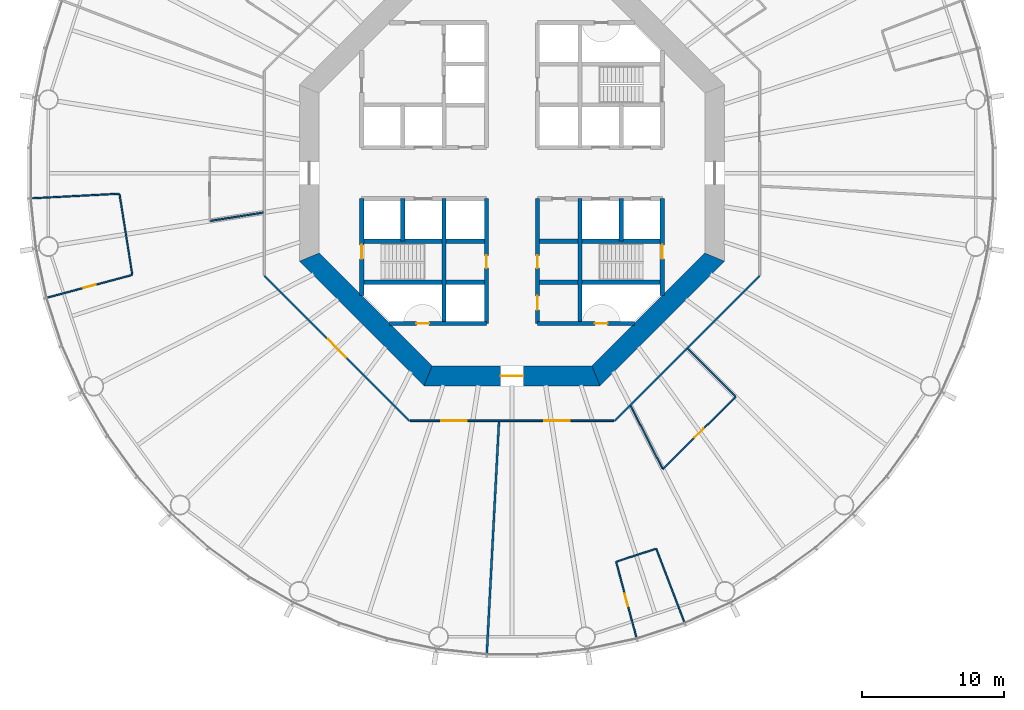
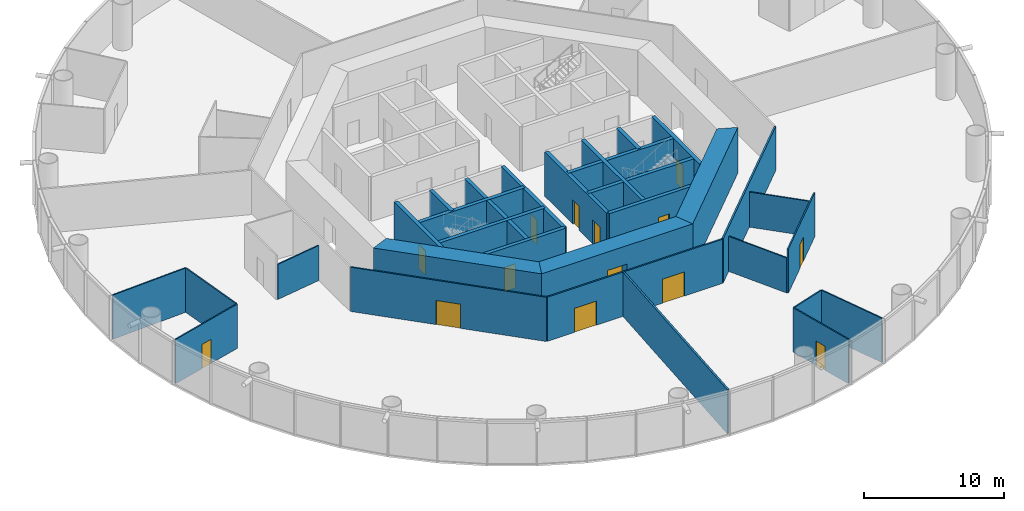
# One storey, part 3 of 12: 31 walls, 14 doors, 14 openings.
"""IFC4 building model written with IfcOpenShell, lengths in metres."""

import ifcopenshell
import ifcopenshell.guid

model = None  # the IFC model being written
_history = None  # IfcOwnerHistory: only IFC2X3 demands one
_inside = {}  # id of a spatial element -> (the spatial element, [elements in it])
_under = {}  # id of a project, library or spatial element -> (it, [spatial elements below it])
_declared = {}  # id of a project -> (the project, [libraries it declares])
_typed = {}  # id of a type object -> (the type object, [elements of that type])
_made_of = {}  # id of a material, layer set ... -> (it, [elements and type objects made of it])


def new_model(schema):
    """Start an empty IFC model of exactly this schema.

    Asked for "IFC4X3", IfcOpenShell would pick the latest addendum, in which some entities
    have other attributes; the version numbers below select the first issue.
    IFC2X3 requires an IfcOwnerHistory on every rooted entity: one is made here for all.
    """
    global model, _history
    if schema == "IFC4X3":
        model = ifcopenshell.file(schema_version=(4, 3, 0, 0))
    else:
        model = ifcopenshell.file(schema=schema)
    _inside.clear()
    _under.clear()
    _declared.clear()
    _typed.clear()
    _made_of.clear()
    _history = None
    if model.schema == "IFC2X3":
        org = make("IfcOrganization", Name="unknown")
        user = make(
            "IfcPersonAndOrganization",
            ThePerson=make("IfcPerson", FamilyName="unknown"),
            TheOrganization=org,
        )
        app = make(
            "IfcApplication",
            ApplicationDeveloper=org,
            Version="unknown",
            ApplicationFullName="unknown",
            ApplicationIdentifier="unknown",
        )
        _history = make(
            "IfcOwnerHistory",
            OwningUser=user,
            OwningApplication=app,
            ChangeAction="ADDED",
            CreationDate=0,
        )
    return model


def make(cls, **values):
    """One entity of the class cls with the attributes given. An attribute that is None is left unset."""
    return model.create_entity(
        cls, **{name: value for name, value in values.items() if value is not None}
    )


def rooted(cls, **values):
    """An entity with a GlobalId (a new one), such as an element, a storey or a relation."""
    return make(cls, GlobalId=ifcopenshell.guid.new(), OwnerHistory=_history, **values)


def si_unit(unit_type, name, prefix=None):
    """IfcSIUnit, for example si_unit("LENGTHUNIT", "METRE", prefix="MILLI")."""
    return make("IfcSIUnit", UnitType=unit_type, Prefix=prefix, Name=name)


def assignment(units):
    """IfcUnitAssignment: the units of a project."""
    return None if units is None else make("IfcUnitAssignment", Units=units)


def point(xyz):
    """IfcCartesianPoint."""
    return None if xyz is None else make("IfcCartesianPoint", Coordinates=xyz)


def direction(xyz):
    """IfcDirection."""
    return None if xyz is None else make("IfcDirection", DirectionRatios=xyz)


def frame(location, z_axis=None, x_axis=None):
    """IfcAxis2Placement3D, a coordinate frame: its origin and axes. An axis left out is left unset."""
    return make(
        "IfcAxis2Placement3D",
        Location=point(location),
        Axis=direction(z_axis),
        RefDirection=direction(x_axis),
    )


def frame_2d(location, x_axis=None):
    """IfcAxis2Placement2D, a coordinate frame in the plane: its origin and x axis."""
    return make(
        "IfcAxis2Placement2D", Location=point(location), RefDirection=direction(x_axis)
    )


def origin():
    """The frame at (0, 0, 0) with its axes left unset."""
    return frame((0.0, 0.0, 0.0))


def place(relative_to, where):
    """IfcLocalPlacement: puts the frame where relative to a parent placement (None: the world)."""
    return make(
        "IfcLocalPlacement", PlacementRelTo=relative_to, RelativePlacement=where
    )


def context(
    kind, dimensions, precision=None, world=None, true_north=None, identifier=None
):
    """IfcGeometricRepresentationContext, for example the 3D "Model" context."""
    return make(
        "IfcGeometricRepresentationContext",
        ContextIdentifier=identifier,
        ContextType=kind,
        CoordinateSpaceDimension=dimensions,
        Precision=precision,
        WorldCoordinateSystem=world,
        TrueNorth=true_north,
    )


def subcontext(parent, identifier, kind, view, scale=None):
    """IfcGeometricRepresentationSubContext, for example "Body" below "Model"."""
    return make(
        "IfcGeometricRepresentationSubContext",
        ContextIdentifier=identifier,
        ContextType=kind,
        ParentContext=parent,
        TargetScale=scale,
        TargetView=view,
    )


def project(units=None, contexts=None):
    """IfcProject with its units and contexts."""
    return rooted(
        "IfcProject",
        Name="project",
        RepresentationContexts=contexts,
        UnitsInContext=assignment(units),
    )


def spatial(cls, under=None, at=None, **own):
    """A site, building, storey or space (cls), placed at a placement, below another one or the project."""
    s = rooted(cls, ObjectPlacement=at, **own)
    if under is not None:
        _under.setdefault(under.id(), (under, []))[1].append(s)
    return s


def polyline(points):
    """IfcPolyline through the points."""
    return make("IfcPolyline", Points=[point(p) for p in points])


def profile(cls, at=None, kind="AREA", **sizes):
    """A parametric profile (cls). Its sizes go by their IFC names, for example OverallWidth=200.0."""
    return make(cls, ProfileType=kind, Position=at, **sizes)


def rectangle(**sizes):
    """IfcRectangleProfileDef."""
    return profile("IfcRectangleProfileDef", **sizes)


def outline(outer, holes=None, kind="AREA"):
    """IfcArbitraryClosedProfileDef: a profile drawn as a closed curve; with holes, ...WithVoids."""
    if holes is None:
        return make("IfcArbitraryClosedProfileDef", ProfileType=kind, OuterCurve=outer)
    return make(
        "IfcArbitraryProfileDefWithVoids",
        ProfileType=kind,
        OuterCurve=outer,
        InnerCurves=holes,
    )


def extrude(swept, where, along, depth):
    """IfcExtrudedAreaSolid: the profile swept, set in the frame where, extruded along a direction by depth."""
    return make(
        "IfcExtrudedAreaSolid",
        SweptArea=swept,
        Position=where,
        ExtrudedDirection=direction(along),
        Depth=depth,
    )


def shape(context_of_items, identifier, shape_type, items):
    """IfcShapeRepresentation: the items that make up one representation, for example the "Body"."""
    return make(
        "IfcShapeRepresentation",
        ContextOfItems=context_of_items,
        RepresentationIdentifier=identifier,
        RepresentationType=shape_type,
        Items=items,
    )


def material(Name=None, Category=None):
    """IfcMaterial."""
    return make("IfcMaterial", Name=Name, Category=Category)


def layer(
    of_material, thickness, ventilated=None, Name=None, Category=None, Priority=None
):
    """IfcMaterialLayer: one layer of a wall or slab, of a material (None: an air gap)."""
    return make(
        "IfcMaterialLayer",
        Material=of_material,
        LayerThickness=thickness,
        IsVentilated=ventilated,
        Name=Name,
        Category=Category,
        Priority=Priority,
    )


def layer_set(layers, Name=None):
    """IfcMaterialLayerSet."""
    return make("IfcMaterialLayerSet", MaterialLayers=layers, LayerSetName=Name)


def made_of(thing, what):
    """Note that an element or type object is made of a material, layer set ...; save() writes the relation."""
    if what is not None:
        _made_of.setdefault(what.id(), (what, []))[1].append(thing)
    return thing


def type_object(cls, material=None, **own):
    """A type object (cls), such as IfcWallType, which elements share."""
    return made_of(rooted(cls, **own), material)


def element(
    cls,
    number,
    at=None,
    inside=None,
    cuts=None,
    type_object=None,
    material=None,
    context=None,
    identifier="Body",
    shape_type=None,
    held_by="IfcProductDefinitionShape",
    body=None,
    shapes=None,
    **own,
):
    """One element of the class cls, such as IfcWall. Its Tag is "e" and its number.

    at: its placement. inside: the storey or other place that contains it. cuts: it is an
    opening in that element (IfcRelVoidsElement). A single representation is given by context,
    identifier, shape_type and body (its items); several are given by shapes. held_by: the class
    of the entity that holds the representations. save() writes the other relations.
    """
    e = rooted(cls, Tag="e%d" % number, ObjectPlacement=at, **own)
    if body is not None:
        shapes = [shape(context, identifier, shape_type, body)]
    if shapes is not None:
        e.Representation = make(held_by, Representations=shapes)
    if inside is not None:
        _inside.setdefault(inside.id(), (inside, []))[1].append(e)
    if cuts is not None:
        rooted(
            "IfcRelVoidsElement", RelatingBuildingElement=cuts, RelatedOpeningElement=e
        )
    if type_object is not None:
        _typed.setdefault(type_object.id(), (type_object, []))[1].append(e)
    return made_of(e, material)


def fill(opening, filler):
    """IfcRelFillsElement: the door or window that sits in an opening."""
    return rooted(
        "IfcRelFillsElement",
        RelatingOpeningElement=opening,
        RelatedBuildingElement=filler,
    )


def aggregate(whole, parts):
    """IfcRelAggregates: a whole, such as a stair, and the parts it consists of."""
    return rooted("IfcRelAggregates", RelatingObject=whole, RelatedObjects=parts)


def save(model, path):
    """Write the relations noted so far, then the file.

    IfcRelAggregates (storeys below a building ...), IfcRelContainedInSpatialStructure (elements
    in a storey), IfcRelDefinesByType, IfcRelAssociatesMaterial and IfcRelDeclares: one each for
    every whole, place, type object, material and project.
    """
    for whole, parts in _under.values():
        aggregate(whole, parts)
    for where, things in _inside.values():
        rooted(
            "IfcRelContainedInSpatialStructure",
            RelatedElements=things,
            RelatingStructure=where,
        )
    for kind, things in _typed.values():
        rooted("IfcRelDefinesByType", RelatedObjects=things, RelatingType=kind)
    for what, things in _made_of.values():
        rooted("IfcRelAssociatesMaterial", RelatedObjects=things, RelatingMaterial=what)
    for by, libraries in _declared.values():
        rooted("IfcRelDeclares", RelatingContext=by, RelatedDefinitions=libraries)
    model.write(path)


model = new_model("IFC4")

# Units and contexts
model_context = context("Model", 3, precision=1e-05, world=origin(), true_north=direction((0.0, 1.0)))
body_context = subcontext(model_context, "Body", "Model", "MODEL_VIEW")
ifc_project = project(units=[si_unit("LENGTHUNIT", "METRE"), si_unit("AREAUNIT", "SQUARE_METRE"), si_unit("VOLUMEUNIT", "CUBIC_METRE"), si_unit("PLANEANGLEUNIT", "RADIAN"), si_unit("MASSUNIT", "GRAM", prefix="KILO")], contexts=[model_context])

# Site, building, storey
site_placement = place(None, origin())
site = spatial("IfcSite", under=ifc_project, at=site_placement, CompositionType="ELEMENT")
building_placement = place(site_placement, origin())
building = spatial("IfcBuilding", under=site, at=building_placement, Name="Entoto Ring Tower", CompositionType="ELEMENT")
storey_placement = place(building_placement, frame((0.0, 0.0, 70.0)))
storey = spatial("IfcBuildingStorey", under=building, at=storey_placement, Name="L15", CompositionType="ELEMENT", Elevation=70.0)

# Wall, opening, door
ifc_material_1 = material(Name="Concrete C40/50", Category="concrete")
ifc_layer_1 = layer(ifc_material_1, 0.300048828125)
ifc_layer_set_1 = layer_set([ifc_layer_1], Name="Concrete C40/50")
wall_type_1 = type_object("IfcWallType", Name="Core enclosure wall 300 mm reinforced concrete", PredefinedType="SOLIDWALL", material=ifc_layer_set_1)
wall_1_placement = place(storey_placement, frame((100.60009765625, 71.36669921875, 0.0), z_axis=(0.0, 0.0, 1.0), x_axis=(0.0, 1.0, 0.0)))
wall_1 = element("IfcWall", 1, at=wall_1_placement, inside=storey, type_object=wall_type_1, Name="wall-L15-001", PredefinedType="SOLIDWALL", context=body_context, shape_type="SweptSolid", body=[
    extrude(rectangle(XDim=6.833251953125, YDim=0.300048828125, at=frame_2d((3.41650390625, 0.0))), origin(), (0.0, 0.0, 1.0), 3.85009765625),
])
opening_1_placement = place(wall_1_placement, frame((2.583251953125, 0.0, 0.0)))
opening_1 = element("IfcOpeningElement", 2, at=opening_1_placement, cuts=wall_1, Name="Opening K-61", PredefinedType="OPENING", context=body_context, shape_type="SweptSolid", body=[
    extrude(rectangle(XDim=1.0, YDim=2.10009765625, at=frame_2d((0.5, 1.050048828125))), frame((0.0, 0.16015625, 0.0), z_axis=(0.0, -1.0, 0.0), x_axis=(1.0, 0.0, 0.0)), (0.0, 0.0, 1.0), 0.320068359375),
])
ifc_material_2 = material(Name="Steel door leaf, fire rated", Category="steel")
ifc_layer_2 = layer(ifc_material_2, 0.050048828125)
ifc_layer_set_2 = layer_set([ifc_layer_2], Name="Steel door leaf, fire rated")
door_type_1 = type_object("IfcDoorType", Name="Fire door FD60 1000 x 2100 single leaf", OperationType="NOTDEFINED", PredefinedType="DOOR", material=ifc_layer_set_2)
door_1_placement = place(opening_1_placement, origin())
door_1 = element("IfcDoor", 3, at=door_1_placement, inside=storey, type_object=door_type_1, Name="Door K-61", OperationType="SINGLE_SWING_RIGHT", OverallHeight=2.10009765625, OverallWidth=1.0, PredefinedType="DOOR", context=body_context, shape_type="SweptSolid", body=[
    extrude(rectangle(XDim=1.0, YDim=2.10009765625, at=frame_2d((0.5, 1.050048828125))), frame((0.0, 0.02490234375, 0.0), z_axis=(0.0, -1.0, 0.0), x_axis=(1.0, 0.0, 0.0)), (0.0, 0.0, 1.0), 0.050048828125),
])
fill(opening_1, door_1)

# Walls
wall_2_placement = place(storey_placement, frame((97.699951171875, 75.199951171875, 0.0), z_axis=(0.0, 0.0, 1.0), x_axis=(0.0, 1.0, 0.0)))
element("IfcWall", 4, at=wall_2_placement, inside=storey, type_object=wall_type_1, Name="wall-L15-003", PredefinedType="SOLIDWALL", context=body_context, shape_type="SweptSolid", body=[
    extrude(rectangle(XDim=3.0, YDim=0.300048828125, at=frame_2d((1.5, 0.0))), origin(), (0.0, 0.0, 1.0), 3.85009765625),
])
wall_3_placement = place(storey_placement, frame((94.800048828125, 69.39990234375, 0.0), z_axis=(0.0, 0.0, 1.0), x_axis=(0.0, 1.0, 0.0)))
element("IfcWall", 5, at=wall_3_placement, inside=storey, type_object=wall_type_1, Name="wall-L15-005", PredefinedType="SOLIDWALL", context=body_context, shape_type="SweptSolid", body=[
    extrude(rectangle(XDim=8.800048828125, YDim=0.300048828125, at=frame_2d((4.39990234375, 0.0))), origin(), (0.0, 0.0, 1.0), 3.85009765625),
])

# Wall, openings, doors
wall_4_placement = place(storey_placement, frame((91.800048828125, 69.39990234375, 0.0), z_axis=(0.0, 0.0, 1.0), x_axis=(0.0, 1.0, 0.0)))
wall_4 = element("IfcWall", 6, at=wall_4_placement, inside=storey, type_object=wall_type_1, Name="wall-L15-007", PredefinedType="SOLIDWALL", context=body_context, shape_type="SweptSolid", body=[
    extrude(rectangle(XDim=8.800048828125, YDim=0.300048828125, at=frame_2d((4.39990234375, 0.0))), origin(), (0.0, 0.0, 1.0), 3.85009765625),
])
opening_2_placement = place(wall_4_placement, frame((3.89990234375, 0.0, 0.0)))
opening_2 = element("IfcOpeningElement", 7, at=opening_2_placement, cuts=wall_4, Name="Opening K-12", PredefinedType="OPENING", context=body_context, shape_type="SweptSolid", body=[
    extrude(rectangle(XDim=0.89990234375, YDim=2.10009765625, at=frame_2d((0.449951171875, 1.050048828125))), frame((0.0, 0.16015625, 0.0), z_axis=(0.0, -1.0, 0.0), x_axis=(1.0, 0.0, 0.0)), (0.0, 0.0, 1.0), 0.320068359375),
])
opening_3_placement = place(wall_4_placement, frame((0.949951171875, 0.0, 0.0)))
opening_3 = element("IfcOpeningElement", 8, at=opening_3_placement, cuts=wall_4, Name="Opening K-13", PredefinedType="OPENING", context=body_context, shape_type="SweptSolid", body=[
    extrude(rectangle(XDim=1.0, YDim=2.10009765625, at=frame_2d((0.5, 1.050048828125))), frame((0.0, 0.16015625, 0.0), z_axis=(0.0, -1.0, 0.0), x_axis=(1.0, 0.0, 0.0)), (0.0, 0.0, 1.0), 0.320068359375),
])
ifc_material_3 = material(Name="Steel door leaf, fire rated", Category="steel")
ifc_layer_3 = layer(ifc_material_3, 0.050048828125)
ifc_layer_set_3 = layer_set([ifc_layer_3], Name="Steel door leaf, fire rated")
door_type_2 = type_object("IfcDoorType", Name="Accessible door 1000 x 2100 single leaf", OperationType="NOTDEFINED", PredefinedType="DOOR", material=ifc_layer_set_3)
door_2_placement = place(opening_3_placement, frame((1.0, 0.0, 0.0), z_axis=(0.0, 0.0, 1.0), x_axis=(-1.0, 0.0, 0.0)))
door_2 = element("IfcDoor", 9, at=door_2_placement, inside=storey, type_object=door_type_2, Name="Door K-13", OperationType="SINGLE_SWING_LEFT", OverallHeight=2.10009765625, OverallWidth=1.0, PredefinedType="DOOR", context=body_context, shape_type="SweptSolid", body=[
    extrude(rectangle(XDim=1.0, YDim=2.10009765625, at=frame_2d((0.5, 1.050048828125))), frame((0.0, 0.02490234375, 0.0), z_axis=(0.0, -1.0, 0.0), x_axis=(1.0, 0.0, 0.0)), (0.0, 0.0, 1.0), 0.050048828125),
])
fill(opening_3, door_2)
ifc_material_4 = material(Name="Steel door leaf, fire rated", Category="steel")
ifc_layer_4 = layer(ifc_material_4, 0.050048828125)
ifc_layer_set_4 = layer_set([ifc_layer_4], Name="Steel door leaf, fire rated")
door_type_3 = type_object("IfcDoorType", Name="Core door 900 x 2100 single leaf", OperationType="NOTDEFINED", PredefinedType="DOOR", material=ifc_layer_set_4)
door_3_placement = place(opening_2_placement, frame((0.89990234375, 0.0, 0.0), z_axis=(0.0, 0.0, 1.0), x_axis=(-1.0, 0.0, 0.0)))
door_3 = element("IfcDoor", 10, at=door_3_placement, inside=storey, type_object=door_type_3, Name="Door K-12", OperationType="SINGLE_SWING_LEFT", OverallHeight=2.10009765625, OverallWidth=0.89990234375, PredefinedType="DOOR", context=body_context, shape_type="SweptSolid", body=[
    extrude(rectangle(XDim=0.89990234375, YDim=2.10009765625, at=frame_2d((0.449951171875, 1.050048828125))), frame((0.0, 0.02490234375, 0.0), z_axis=(0.0, -1.0, 0.0), x_axis=(1.0, 0.0, 0.0)), (0.0, 0.0, 1.0), 0.050048828125),
])
fill(opening_2, door_3)

# Wall, opening, door
wall_5_placement = place(storey_placement, frame((88.199951171875, 69.39990234375, 0.0), z_axis=(0.0, 0.0, 1.0), x_axis=(0.0, 1.0, 0.0)))
wall_5 = element("IfcWall", 11, at=wall_5_placement, inside=storey, type_object=wall_type_1, Name="wall-L15-009", PredefinedType="SOLIDWALL", context=body_context, shape_type="SweptSolid", body=[
    extrude(rectangle(XDim=8.800048828125, YDim=0.300048828125, at=frame_2d((4.39990234375, 0.0))), origin(), (0.0, 0.0, 1.0), 3.85009765625),
])
opening_4_placement = place(wall_5_placement, frame((3.89990234375, 0.0, 0.0)))
opening_4 = element("IfcOpeningElement", 12, at=opening_4_placement, cuts=wall_5, Name="Opening K-14", PredefinedType="OPENING", context=body_context, shape_type="SweptSolid", body=[
    extrude(rectangle(XDim=0.89990234375, YDim=2.10009765625, at=frame_2d((0.449951171875, 1.050048828125))), frame((0.0, 0.16015625, 0.0), z_axis=(0.0, -1.0, 0.0), x_axis=(1.0, 0.0, 0.0)), (0.0, 0.0, 1.0), 0.320068359375),
])
door_4_placement = place(opening_4_placement, origin())
door_4 = element("IfcDoor", 13, at=door_4_placement, inside=storey, type_object=door_type_3, Name="Door K-14", OperationType="SINGLE_SWING_RIGHT", OverallHeight=2.10009765625, OverallWidth=0.89990234375, PredefinedType="DOOR", context=body_context, shape_type="SweptSolid", body=[
    extrude(rectangle(XDim=0.89990234375, YDim=2.10009765625, at=frame_2d((0.449951171875, 1.050048828125))), frame((0.0, 0.02490234375, 0.0), z_axis=(0.0, -1.0, 0.0), x_axis=(1.0, 0.0, 0.0)), (0.0, 0.0, 1.0), 0.050048828125),
])
fill(opening_4, door_4)

# Walls
wall_6_placement = place(storey_placement, frame((85.199951171875, 69.39990234375, 0.0), z_axis=(0.0, 0.0, 1.0), x_axis=(0.0, 1.0, 0.0)))
element("IfcWall", 14, at=wall_6_placement, inside=storey, type_object=wall_type_1, Name="wall-L15-011", PredefinedType="SOLIDWALL", context=body_context, shape_type="SweptSolid", body=[
    extrude(rectangle(XDim=8.800048828125, YDim=0.300048828125, at=frame_2d((4.39990234375, 0.0))), origin(), (0.0, 0.0, 1.0), 3.85009765625),
])
wall_7_placement = place(storey_placement, frame((82.300048828125, 75.199951171875, 0.0), z_axis=(0.0, 0.0, 1.0), x_axis=(0.0, 1.0, 0.0)))
element("IfcWall", 15, at=wall_7_placement, inside=storey, type_object=wall_type_1, Name="wall-L15-013", PredefinedType="SOLIDWALL", context=body_context, shape_type="SweptSolid", body=[
    extrude(rectangle(XDim=3.0, YDim=0.300048828125, at=frame_2d((1.5, 0.0))), origin(), (0.0, 0.0, 1.0), 3.85009765625),
])

# Wall, opening, door
wall_8_placement = place(storey_placement, frame((79.39990234375, 71.36669921875, 0.0), z_axis=(0.0, 0.0, 1.0), x_axis=(0.0, 1.0, 0.0)))
wall_8 = element("IfcWall", 16, at=wall_8_placement, inside=storey, type_object=wall_type_1, Name="wall-L15-015", PredefinedType="SOLIDWALL", context=body_context, shape_type="SweptSolid", body=[
    extrude(rectangle(XDim=6.833251953125, YDim=0.300048828125, at=frame_2d((3.41650390625, 0.0))), origin(), (0.0, 0.0, 1.0), 3.85009765625),
])
opening_5_placement = place(wall_8_placement, frame((2.583251953125, 0.0, 0.0)))
opening_5 = element("IfcOpeningElement", 17, at=opening_5_placement, cuts=wall_8, Name="Opening K-59", PredefinedType="OPENING", context=body_context, shape_type="SweptSolid", body=[
    extrude(rectangle(XDim=1.0, YDim=2.10009765625, at=frame_2d((0.5, 1.050048828125))), frame((0.0, 0.16015625, 0.0), z_axis=(0.0, -1.0, 0.0), x_axis=(1.0, 0.0, 0.0)), (0.0, 0.0, 1.0), 0.320068359375),
])
door_5_placement = place(opening_5_placement, frame((1.0, 0.0, 0.0), z_axis=(0.0, 0.0, 1.0), x_axis=(-1.0, 0.0, 0.0)))
door_5 = element("IfcDoor", 18, at=door_5_placement, inside=storey, type_object=door_type_1, Name="Door K-59", OperationType="SINGLE_SWING_LEFT", OverallHeight=2.10009765625, OverallWidth=1.0, PredefinedType="DOOR", context=body_context, shape_type="SweptSolid", body=[
    extrude(rectangle(XDim=1.0, YDim=2.10009765625, at=frame_2d((0.5, 1.050048828125))), frame((0.0, 0.02490234375, 0.0), z_axis=(0.0, -1.0, 0.0), x_axis=(1.0, 0.0, 0.0)), (0.0, 0.0, 1.0), 0.050048828125),
])
fill(opening_5, door_5)

wall_9_placement = place(storey_placement, frame((81.36669921875, 69.39990234375, 0.0), z_axis=(0.0, 0.0, 1.0), x_axis=(1.0, 0.0, 0.0)))
wall_9 = element("IfcWall", 19, at=wall_9_placement, inside=storey, type_object=wall_type_1, Name="wall-L15-017", PredefinedType="SOLIDWALL", context=body_context, shape_type="SweptSolid", body=[
    extrude(rectangle(XDim=6.833251953125, YDim=0.300048828125, at=frame_2d((3.41650390625, 0.0))), origin(), (0.0, 0.0, 1.0), 3.85009765625),
])
opening_6_placement = place(wall_9_placement, frame((1.88330078125, 0.0, 0.0)))
opening_6 = element("IfcOpeningElement", 20, at=opening_6_placement, cuts=wall_9, Name="Opening K-66", PredefinedType="OPENING", context=body_context, shape_type="SweptSolid", body=[
    extrude(rectangle(XDim=0.89990234375, YDim=2.10009765625, at=frame_2d((0.449951171875, 1.050048828125))), frame((0.0, 0.16015625, 0.0), z_axis=(0.0, -1.0, 0.0), x_axis=(1.0, 0.0, 0.0)), (0.0, 0.0, 1.0), 0.320068359375),
])
ifc_material_5 = material(Name="Steel door leaf, fire rated", Category="steel")
ifc_layer_5 = layer(ifc_material_5, 0.050048828125)
ifc_layer_set_5 = layer_set([ifc_layer_5], Name="Steel door leaf, fire rated")
door_type_4 = type_object("IfcDoorType", Name="Riser door FD60 900 x 2100 single leaf", OperationType="NOTDEFINED", PredefinedType="DOOR", material=ifc_layer_set_5)
door_6_placement = place(opening_6_placement, origin())
door_6 = element("IfcDoor", 21, at=door_6_placement, inside=storey, type_object=door_type_4, Name="Door K-66", OperationType="SINGLE_SWING_RIGHT", OverallHeight=2.10009765625, OverallWidth=0.89990234375, PredefinedType="DOOR", context=body_context, shape_type="SweptSolid", body=[
    extrude(rectangle(XDim=0.89990234375, YDim=2.10009765625, at=frame_2d((0.449951171875, 1.050048828125))), frame((0.0, 0.02490234375, 0.0), z_axis=(0.0, -1.0, 0.0), x_axis=(1.0, 0.0, 0.0)), (0.0, 0.0, 1.0), 0.050048828125),
])
fill(opening_6, door_6)

wall_10_placement = place(storey_placement, frame((91.800048828125, 69.39990234375, 0.0), z_axis=(0.0, 0.0, 1.0), x_axis=(1.0, 0.0, 0.0)))
wall_10 = element("IfcWall", 22, at=wall_10_placement, inside=storey, type_object=wall_type_1, Name="wall-L15-018", PredefinedType="SOLIDWALL", context=body_context, shape_type="SweptSolid", body=[
    extrude(rectangle(XDim=6.833251953125, YDim=0.300048828125, at=frame_2d((3.41650390625, 0.0))), origin(), (0.0, 0.0, 1.0), 3.85009765625),
])
opening_7_placement = place(wall_10_placement, frame((4.050048828125, 0.0, 0.0)))
opening_7 = element("IfcOpeningElement", 23, at=opening_7_placement, cuts=wall_10, Name="Opening K-68", PredefinedType="OPENING", context=body_context, shape_type="SweptSolid", body=[
    extrude(rectangle(XDim=0.89990234375, YDim=2.10009765625, at=frame_2d((0.449951171875, 1.050048828125))), frame((0.0, 0.16015625, 0.0), z_axis=(0.0, -1.0, 0.0), x_axis=(1.0, 0.0, 0.0)), (0.0, 0.0, 1.0), 0.320068359375),
])
door_7_placement = place(opening_7_placement, origin())
door_7 = element("IfcDoor", 24, at=door_7_placement, inside=storey, type_object=door_type_4, Name="Door K-68", OperationType="SINGLE_SWING_LEFT", OverallHeight=2.10009765625, OverallWidth=0.89990234375, PredefinedType="DOOR", context=body_context, shape_type="SweptSolid", body=[
    extrude(rectangle(XDim=0.89990234375, YDim=2.10009765625, at=frame_2d((0.449951171875, 1.050048828125))), frame((0.0, 0.02490234375, 0.0), z_axis=(0.0, -1.0, 0.0), x_axis=(1.0, 0.0, 0.0)), (0.0, 0.0, 1.0), 0.050048828125),
])
fill(opening_7, door_7)

# Walls
for number, where, z_axis, x_axis, name in (
    (25, (79.39990234375, 72.300048828125, 0.0), (0.0, 0.0, 1.0), (1.0, 0.0, 0.0), "wall-L15-019"),
    (26, (91.800048828125, 72.300048828125, 0.0), (0.0, 0.0, 1.0), (1.0, 0.0, 0.0), "wall-L15-020"),
    (27, (79.39990234375, 75.199951171875, 0.0), (0.0, 0.0, 1.0), (1.0, 0.0, 0.0), "wall-L15-021"),
    (28, (91.800048828125, 75.199951171875, 0.0), (0.0, 0.0, 1.0), (1.0, 0.0, 0.0), "wall-L15-022"),
):
    element("IfcWall", number, at=place(storey_placement, frame(where, z_axis=z_axis, x_axis=x_axis)), inside=storey, type_object=wall_type_1, Name=name, PredefinedType="SOLIDWALL", context=body_context, shape_type="SweptSolid", body=[
        extrude(rectangle(XDim=8.800048828125, YDim=0.300048828125, at=frame_2d((4.39990234375, 0.0))), origin(), (0.0, 0.0, 1.0), 3.85009765625),
    ])
ifc_material_6 = material(Name="Concrete C60/75", Category="concrete")
ifc_layer_6 = layer(ifc_material_6, 1.39990234375)
ifc_layer_set_6 = layer_set([ifc_layer_6], Name="Concrete C60/75")
wall_type_2 = type_object("IfcWallType", Name="Core shear wall 1400 mm reinforced concrete C60/75", PredefinedType="SHEAR", material=ifc_layer_set_6)
wall_11_placement = place(storey_placement, frame((75.699951171875, 74.07666015625, 0.0), z_axis=(0.0, 0.0, 1.0), x_axis=(0.707106781187, -0.707106781187, 0.0)))
element("IfcWall", 29, at=wall_11_placement, inside=storey, type_object=wall_type_2, Name="wall-L15-core-5", PredefinedType="SHEAR", context=body_context, shape_type="SweptSolid", body=[
    extrude(outline(polyline([(-0.2900390625, -0.699951171875), (12.136474609375, -0.699951171875), (11.556396484375, 0.699951171875), (0.2900390625, 0.699951171875), (-0.2900390625, -0.699951171875)])), origin(), (0.0, 0.0, 1.0), 4.0),
])

# Wall, opening, door
wall_12_placement = place(storey_placement, frame((84.07666015625, 65.699951171875, 0.0), z_axis=(0.0, 0.0, 1.0), x_axis=(1.0, 0.0, 0.0)))
wall_12 = element("IfcWall", 30, at=wall_12_placement, inside=storey, type_object=wall_type_2, Name="wall-L15-core-6", PredefinedType="SHEAR", context=body_context, shape_type="SweptSolid", body=[
    extrude(outline(polyline([(-0.2900390625, -0.699951171875), (12.13671875, -0.699951171875), (11.556640625, 0.699951171875), (0.2900390625, 0.699951171875), (-0.2900390625, -0.699951171875)])), origin(), (0.0, 0.0, 1.0), 4.0),
])
opening_8_placement = place(wall_12_placement, frame((5.123291015625, 0.0, 0.0)))
opening_8 = element("IfcOpeningElement", 31, at=opening_8_placement, cuts=wall_12, Name="Opening K-04", PredefinedType="OPENING", context=body_context, shape_type="SweptSolid", body=[
    extrude(rectangle(XDim=1.60009765625, YDim=2.39990234375, at=frame_2d((0.800048828125, 1.199951171875))), frame((0.0, 0.7099609375, 0.0), z_axis=(0.0, -1.0, 0.0), x_axis=(1.0, 0.0, 0.0)), (0.0, 0.0, 1.0), 1.419921875),
])
ifc_material_7 = material(Name="Steel door leaf, fire rated", Category="steel")
ifc_layer_7 = layer(ifc_material_7, 0.050048828125)
ifc_layer_set_7 = layer_set([ifc_layer_7], Name="Steel door leaf, fire rated")
door_type_5 = type_object("IfcDoorType", Name="Entrance door FD60 1600 x 2400 double leaf", OperationType="DOUBLE_DOOR_SINGLE_SWING", PredefinedType="DOOR", material=ifc_layer_set_7)
door_8_placement = place(opening_8_placement, origin())
door_8 = element("IfcDoor", 32, at=door_8_placement, inside=storey, type_object=door_type_5, Name="Entrance door K-04", OperationType="DOUBLE_DOOR_SINGLE_SWING", OverallHeight=2.39990234375, OverallWidth=1.60009765625, PredefinedType="DOOR", context=body_context, shape_type="SweptSolid", body=[
    extrude(rectangle(XDim=1.60009765625, YDim=2.39990234375, at=frame_2d((0.800048828125, 1.199951171875))), frame((0.0, 0.02490234375, 0.0), z_axis=(0.0, -1.0, 0.0), x_axis=(1.0, 0.0, 0.0)), (0.0, 0.0, 1.0), 0.050048828125),
])
fill(opening_8, door_8)

# Wall
wall_13_placement = place(storey_placement, frame((95.92333984375, 65.699951171875, 0.0), z_axis=(0.0, 0.0, 1.0), x_axis=(0.707106781187, 0.707106781187, 0.0)))
element("IfcWall", 33, at=wall_13_placement, inside=storey, type_object=wall_type_2, Name="wall-L15-core-7", PredefinedType="SHEAR", context=body_context, shape_type="SweptSolid", body=[
    extrude(outline(polyline([(-0.2900390625, -0.699951171875), (12.136474609375, -0.699951171875), (11.556396484375, 0.699951171875), (0.2900390625, 0.699951171875), (-0.2900390625, -0.699951171875)])), origin(), (0.0, 0.0, 1.0), 4.0),
])

# Wall, opening, door
ifc_material_8 = material(Name="Fire-resisting plasterboard on steel studs", Category="steel")
ifc_layer_8 = layer(ifc_material_8, 0.125)
ifc_layer_set_8 = layer_set([ifc_layer_8], Name="Fire-resisting plasterboard on steel studs")
wall_type_3 = type_object("IfcWallType", Name="Corridor wall 125 mm one-hour plasterboard on steel studs", PredefinedType="PARTITIONING", material=ifc_layer_set_8)
wall_14_placement = place(storey_placement, frame((82.766845703125, 62.53759765625, 0.0), z_axis=(0.0, 0.0, 1.0), x_axis=(-0.707106781187, 0.707106781187, 0.0)))
wall_14 = element("IfcWall", 34, at=wall_14_placement, inside=storey, type_object=wall_type_3, Name="partition-L15-002", PredefinedType="PARTITIONING", context=body_context, shape_type="SweptSolid", body=[
    extrude(rectangle(XDim=14.46630859375, YDim=0.125, at=frame_2d((7.233154296875, 0.0))), origin(), (0.0, 0.0, 1.0), 3.85009765625),
])
opening_9_placement = place(wall_14_placement, frame((6.333251953125, 0.0, 0.0)))
opening_9 = element("IfcOpeningElement", 35, at=opening_9_placement, cuts=wall_14, Name="Opening A06-D08", PredefinedType="OPENING", context=body_context, shape_type="SweptSolid", body=[
    extrude(rectangle(XDim=1.800048828125, YDim=2.10009765625, at=frame_2d((0.89990234375, 1.050048828125))), frame((0.0, 0.072509765625, 0.0), z_axis=(0.0, -1.0, 0.0), x_axis=(1.0, 0.0, 0.0)), (0.0, 0.0, 1.0), 0.14501953125),
])
ifc_material_9 = material(Name="Fire-resisting timber door set", Category="wood")
door_type_6 = type_object("IfcDoorType", Name="Door 1800 x 2100 double leaf FD30S fire door", OperationType="DOUBLE_DOOR_SINGLE_SWING", PredefinedType="DOOR", material=ifc_material_9)
door_9_placement = place(opening_9_placement, frame((1.800048828125, 0.0, 0.0), z_axis=(0.0, 0.0, 1.0), x_axis=(-1.0, 0.0, 0.0)))
door_9 = element("IfcDoor", 36, at=door_9_placement, inside=storey, type_object=door_type_6, Name="Door A06-D08", OperationType="DOUBLE_DOOR_SINGLE_SWING", OverallHeight=2.10009765625, OverallWidth=1.800048828125, PredefinedType="DOOR", context=body_context, shape_type="SweptSolid", body=[
    extrude(rectangle(XDim=1.800048828125, YDim=2.10009765625, at=frame_2d((0.89990234375, 1.050048828125))), frame((0.0, 0.02490234375, 0.0), z_axis=(0.0, -1.0, 0.0), x_axis=(1.0, 0.0, 0.0)), (0.0, 0.0, 1.0), 0.050048828125),
])
fill(opening_9, door_9)

# Wall
wall_15_placement = place(storey_placement, frame((97.233154296875, 62.53759765625, 0.0), z_axis=(0.0, 0.0, 1.0), x_axis=(0.707106781187, 0.707106781187, 0.0)))
element("IfcWall", 37, at=wall_15_placement, inside=storey, type_object=wall_type_3, Name="partition-L15-003", PredefinedType="PARTITIONING", context=body_context, shape_type="SweptSolid", body=[
    extrude(rectangle(XDim=14.46630859375, YDim=0.125, at=frame_2d((7.233154296875, 0.0))), origin(), (0.0, 0.0, 1.0), 3.85009765625),
])

# Wall, openings, doors
wall_16_placement = place(storey_placement, frame((82.810791015625, 62.53759765625, 0.0), z_axis=(0.0, 0.0, 1.0), x_axis=(1.0, 0.0, 0.0)))
wall_16 = element("IfcWall", 38, at=wall_16_placement, inside=storey, type_object=wall_type_3, Name="partition-L15-006", PredefinedType="PARTITIONING", context=body_context, shape_type="SweptSolid", body=[
    extrude(rectangle(XDim=14.37841796875, YDim=0.125, at=frame_2d((7.189208984375, 0.0))), origin(), (0.0, 0.0, 1.0), 3.85009765625),
])
opening_10_placement = place(wall_16_placement, frame((2.215087890625, 0.0, 0.0)))
opening_10 = element("IfcOpeningElement", 39, at=opening_10_placement, cuts=wall_16, Name="Opening A06-D09", PredefinedType="OPENING", context=body_context, shape_type="SweptSolid", body=[
    extrude(rectangle(XDim=1.800048828125, YDim=2.10009765625, at=frame_2d((0.89990234375, 1.050048828125))), frame((0.0, 0.072509765625, 0.0), z_axis=(0.0, -1.0, 0.0), x_axis=(1.0, 0.0, 0.0)), (0.0, 0.0, 1.0), 0.14501953125),
])
opening_11_placement = place(wall_16_placement, frame((9.4482421875, 0.0, 0.0)))
opening_11 = element("IfcOpeningElement", 40, at=opening_11_placement, cuts=wall_16, Name="Opening A06-D12", PredefinedType="OPENING", context=body_context, shape_type="SweptSolid", body=[
    extrude(rectangle(XDim=1.800048828125, YDim=2.10009765625, at=frame_2d((0.89990234375, 1.050048828125))), frame((0.0, 0.072509765625, 0.0), z_axis=(0.0, -1.0, 0.0), x_axis=(1.0, 0.0, 0.0)), (0.0, 0.0, 1.0), 0.14501953125),
])
door_10_placement = place(opening_10_placement, origin())
door_10 = element("IfcDoor", 41, at=door_10_placement, inside=storey, type_object=door_type_6, Name="Door A06-D09", OperationType="DOUBLE_DOOR_SINGLE_SWING", OverallHeight=2.10009765625, OverallWidth=1.800048828125, PredefinedType="DOOR", context=body_context, shape_type="SweptSolid", body=[
    extrude(rectangle(XDim=1.800048828125, YDim=2.10009765625, at=frame_2d((0.89990234375, 1.050048828125))), frame((0.0, 0.02490234375, 0.0), z_axis=(0.0, -1.0, 0.0), x_axis=(1.0, 0.0, 0.0)), (0.0, 0.0, 1.0), 0.050048828125),
])
fill(opening_10, door_10)
door_11_placement = place(opening_11_placement, origin())
door_11 = element("IfcDoor", 42, at=door_11_placement, inside=storey, type_object=door_type_6, Name="Door A06-D12", OperationType="DOUBLE_DOOR_SINGLE_SWING", OverallHeight=2.10009765625, OverallWidth=1.800048828125, PredefinedType="DOOR", context=body_context, shape_type="SweptSolid", body=[
    extrude(rectangle(XDim=1.800048828125, YDim=2.10009765625, at=frame_2d((0.89990234375, 1.050048828125))), frame((0.0, 0.02490234375, 0.0), z_axis=(0.0, -1.0, 0.0), x_axis=(1.0, 0.0, 0.0)), (0.0, 0.0, 1.0), 0.050048828125),
])
fill(opening_11, door_11)

# Wall, opening, door
ifc_material_10 = material(Name="Plasterboard on steel studs", Category="steel")
ifc_layer_9 = layer(ifc_material_10, 0.10009765625)
ifc_layer_set_9 = layer_set([ifc_layer_9], Name="Plasterboard on steel studs")
wall_type_4 = type_object("IfcWallType", Name="Partition 100 mm plasterboard on steel studs", PredefinedType="PARTITIONING", material=ifc_layer_set_9)
wall_17_placement = place(storey_placement, frame((100.641357421875, 59.114990234375, 0.0), z_axis=(0.0, 0.0, 1.0), x_axis=(0.707106781187, 0.707106781187, 0.0)))
wall_17 = element("IfcWall", 43, at=wall_17_placement, inside=storey, type_object=wall_type_4, Name="partition-L15-013", PredefinedType="PARTITIONING", context=body_context, shape_type="SweptSolid", body=[
    extrude(rectangle(XDim=7.243408203125, YDim=0.10009765625, at=frame_2d((3.62158203125, 0.0))), origin(), (0.0, 0.0, 1.0), 3.85009765625),
])
opening_12_placement = place(wall_17_placement, frame((3.171630859375, 0.0, 0.0)))
opening_12 = element("IfcOpeningElement", 44, at=opening_12_placement, cuts=wall_17, Name="Opening A06-D13", PredefinedType="OPENING", context=body_context, shape_type="SweptSolid", body=[
    extrude(rectangle(XDim=0.89990234375, YDim=2.10009765625, at=frame_2d((0.449951171875, 1.050048828125))), frame((0.0, 0.06005859375, 0.0), z_axis=(0.0, -1.0, 0.0), x_axis=(1.0, 0.0, 0.0)), (0.0, 0.0, 1.0), 0.1201171875),
])
ifc_material_11 = material(Name="Veneered timber door leaf in timber frame", Category="wood")
door_type_7 = type_object("IfcDoorType", Name="Door 900 x 2100 single leaf timber veneer", OperationType="NOTDEFINED", PredefinedType="DOOR", material=ifc_material_11)
door_12_placement = place(opening_12_placement, origin())
door_12 = element("IfcDoor", 45, at=door_12_placement, inside=storey, type_object=door_type_7, Name="Door A06-D13", OperationType="SINGLE_SWING_LEFT", OverallHeight=2.10009765625, OverallWidth=0.89990234375, PredefinedType="DOOR", context=body_context, shape_type="SweptSolid", body=[
    extrude(rectangle(XDim=0.89990234375, YDim=2.10009765625, at=frame_2d((0.449951171875, 1.050048828125))), frame((0.0, 0.02490234375, 0.0), z_axis=(0.0, -1.0, 0.0), x_axis=(1.0, 0.0, 0.0)), (0.0, 0.0, 1.0), 0.050048828125),
])
fill(opening_12, door_12)

wall_18_placement = place(storey_placement, frame((57.216552734375, 71.2158203125, 0.0), z_axis=(0.0, 0.0, 1.0), x_axis=(0.965935262411, 0.258783826449, 0.0)))
wall_18 = element("IfcWall", 46, at=wall_18_placement, inside=storey, type_object=wall_type_4, Name="partition-L15-014", PredefinedType="PARTITIONING", context=body_context, shape_type="SweptSolid", body=[
    extrude(rectangle(XDim=6.219970703125, YDim=0.10009765625, at=frame_2d((3.10986328125, 0.0))), origin(), (0.0, 0.0, 1.0), 3.85009765625),
])
opening_13_placement = place(wall_18_placement, frame((2.659912109375, 0.0, 0.0)))
opening_13 = element("IfcOpeningElement", 47, at=opening_13_placement, cuts=wall_18, Name="Opening A06-D11", PredefinedType="OPENING", context=body_context, shape_type="SweptSolid", body=[
    extrude(rectangle(XDim=0.89990234375, YDim=2.10009765625, at=frame_2d((0.449951171875, 1.050048828125))), frame((0.0, 0.06005859375, 0.0), z_axis=(0.0, -1.0, 0.0), x_axis=(1.0, 0.0, 0.0)), (0.0, 0.0, 1.0), 0.1201171875),
])
door_13_placement = place(opening_13_placement, origin())
door_13 = element("IfcDoor", 48, at=door_13_placement, inside=storey, type_object=door_type_7, Name="Door A06-D11", OperationType="SINGLE_SWING_LEFT", OverallHeight=2.10009765625, OverallWidth=0.89990234375, PredefinedType="DOOR", context=body_context, shape_type="SweptSolid", body=[
    extrude(rectangle(XDim=0.89990234375, YDim=2.10009765625, at=frame_2d((0.449951171875, 1.050048828125))), frame((0.0, 0.02490234375, 0.0), z_axis=(0.0, -1.0, 0.0), x_axis=(1.0, 0.0, 0.0)), (0.0, 0.0, 1.0), 0.050048828125),
])
fill(opening_13, door_13)

# Walls
wall_19_placement = place(storey_placement, frame((56.1064453125, 78.2236328125, 0.0), z_axis=(0.0, 0.0, 1.0), x_axis=(0.998628326506, 0.052359005917, 0.0)))
element("IfcWall", 49, at=wall_19_placement, inside=storey, type_object=wall_type_4, Name="partition-L15-015", PredefinedType="PARTITIONING", context=body_context, shape_type="SweptSolid", body=[
    extrude(rectangle(XDim=6.22021484375, YDim=0.10009765625, at=frame_2d((3.110107421875, 0.0))), origin(), (0.0, 0.0, 1.0), 3.85009765625),
])
wall_20_placement = place(storey_placement, frame((63.216796875, 72.87451171875, 0.0), z_axis=(0.0, 0.0, 1.0), x_axis=(-0.156448988699, 0.987686040164, 0.0)))
element("IfcWall", 50, at=wall_20_placement, inside=storey, type_object=wall_type_4, Name="partition-L15-019", PredefinedType="PARTITIONING", context=body_context, shape_type="SweptSolid", body=[
    extrude(rectangle(XDim=5.69580078125, YDim=0.10009765625, at=frame_2d((2.847900390625, 0.0))), origin(), (0.0, 0.0, 1.0), 3.85009765625),
])

# Wall, opening, door
wall_21_placement = place(storey_placement, frame((98.7841796875, 47.216552734375, 0.0), z_axis=(0.0, 0.0, 1.0), x_axis=(-0.258786477132, 0.965934552262, 0.0)))
wall_21 = element("IfcWall", 51, at=wall_21_placement, inside=storey, type_object=wall_type_4, Name="partition-L15-020", PredefinedType="PARTITIONING", context=body_context, shape_type="SweptSolid", body=[
    extrude(rectangle(XDim=5.56982421875, YDim=0.10009765625, at=frame_2d((2.784912109375, 0.0))), origin(), (0.0, 0.0, 1.0), 3.85009765625),
])
opening_14_placement = place(wall_21_placement, frame((2.3349609375, 0.0, 0.0)))
opening_14 = element("IfcOpeningElement", 52, at=opening_14_placement, cuts=wall_21, Name="Opening A06-D14", PredefinedType="OPENING", context=body_context, shape_type="SweptSolid", body=[
    extrude(rectangle(XDim=0.89990234375, YDim=2.10009765625, at=frame_2d((0.449951171875, 1.050048828125))), frame((0.0, 0.06005859375, 0.0), z_axis=(0.0, -1.0, 0.0), x_axis=(1.0, 0.0, 0.0)), (0.0, 0.0, 1.0), 0.1201171875),
])
door_14_placement = place(opening_14_placement, frame((0.89990234375, 0.0, 0.0), z_axis=(0.0, 0.0, 1.0), x_axis=(-1.0, 0.0, 0.0)))
door_14 = element("IfcDoor", 53, at=door_14_placement, inside=storey, type_object=door_type_7, Name="Door A06-D14", OperationType="SINGLE_SWING_RIGHT", OverallHeight=2.10009765625, OverallWidth=0.89990234375, PredefinedType="DOOR", context=body_context, shape_type="SweptSolid", body=[
    extrude(rectangle(XDim=0.89990234375, YDim=2.10009765625, at=frame_2d((0.449951171875, 1.050048828125))), frame((0.0, 0.02490234375, 0.0), z_axis=(0.0, -1.0, 0.0), x_axis=(1.0, 0.0, 0.0)), (0.0, 0.0, 1.0), 0.050048828125),
])
fill(opening_14, door_14)

# Walls
wall_22_placement = place(storey_placement, frame((102.1630859375, 48.314208984375, 0.0), z_axis=(0.0, 0.0, 1.0), x_axis=(-0.358356338388, 0.93358488352, 0.0)))
element("IfcWall", 54, at=wall_22_placement, inside=storey, type_object=wall_type_4, Name="partition-L15-021", PredefinedType="PARTITIONING", context=body_context, shape_type="SweptSolid", body=[
    extrude(rectangle(XDim=5.570068359375, YDim=0.10009765625, at=frame_2d((2.78515625, 0.0))), origin(), (0.0, 0.0, 1.0), 3.85009765625),
])
wall_23_placement = place(storey_placement, frame((97.39013671875, 52.612060546875, 0.0), z_axis=(0.0, 0.0, 1.0), x_axis=(0.951063449042, 0.30899565676, 0.0)))
element("IfcWall", 55, at=wall_23_placement, inside=storey, type_object=wall_type_4, Name="partition-L15-035", PredefinedType="PARTITIONING", context=body_context, shape_type="SweptSolid", body=[
    extrude(rectangle(XDim=2.86962890625, YDim=0.10009765625, at=frame_2d((1.434814453125, 0.0))), origin(), (0.0, 0.0, 1.0), 3.85009765625),
])
ifc_material_12 = material(Name="Plasterboard on steel studs", Category="steel")
ifc_layer_10 = layer(ifc_material_12, 0.10009765625)
ifc_layer_set_10 = layer_set([ifc_layer_10], Name="Plasterboard on steel studs")
wall_type_5 = type_object("IfcWallType", Name="Partition 100 mm plasterboard on steel studs, 3050 mm high", PredefinedType="PARTITIONING", material=ifc_layer_set_10)
wall_24_placement = place(storey_placement, frame((100.610107421875, 59.17626953125, 0.0), z_axis=(0.0, 0.0, 1.0), x_axis=(-0.453997767656, 0.891002820962, 0.0)))
element("IfcWall", 56, at=wall_24_placement, inside=storey, type_object=wall_type_5, Name="partition-L15-022", PredefinedType="PARTITIONING", context=body_context, shape_type="SweptSolid", body=[
    extrude(rectangle(XDim=4.927978515625, YDim=0.10009765625, at=frame_2d((2.4638671875, 0.0))), origin(), (0.0, 0.0, 1.0), 3.050048828125),
])
wall_25_placement = place(storey_placement, frame((105.727783203125, 64.272216796875, 0.0), z_axis=(0.0, 0.0, 1.0), x_axis=(-0.707106781187, 0.707106781187, 0.0)))
element("IfcWall", 57, at=wall_25_placement, inside=storey, type_object=wall_type_5, Name="partition-L15-023", PredefinedType="PARTITIONING", context=body_context, shape_type="SweptSolid", body=[
    extrude(rectangle(XDim=4.71728515625, YDim=0.10009765625, at=frame_2d((2.358642578125, 0.0))), origin(), (0.0, 0.0, 1.0), 3.050048828125),
])
wall_26_placement = place(storey_placement, frame((68.7451171875, 76.633544921875, 0.0), z_axis=(0.0, 0.0, 1.0), x_axis=(0.987685629628, 0.156451580451, 0.0)))
element("IfcWall", 58, at=wall_26_placement, inside=storey, type_object=wall_type_5, Name="partition-L15-031", PredefinedType="PARTITIONING", context=body_context, shape_type="SweptSolid", body=[
    extrude(rectangle(XDim=3.7685546875, YDim=0.10009765625, at=frame_2d((1.88427734375, 0.0))), origin(), (0.0, 0.0, 1.0), 3.050048828125),
])
ifc_material_13 = material(Name="Fire-resisting acoustic plasterboard on steel studs", Category="steel")
ifc_layer_11 = layer(ifc_material_13, 0.14990234375)
ifc_layer_set_11 = layer_set([ifc_layer_11], Name="Fire-resisting acoustic plasterboard on steel studs")
wall_type_6 = type_object("IfcWallType", Name="Party wall 150 mm one-hour acoustic plasterboard on steel studs", PredefinedType="PARTITIONING", material=ifc_layer_set_11)
wall_27_placement = place(storey_placement, frame((88.2236328125, 46.1064453125, 0.0), z_axis=(0.0, 0.0, 1.0), x_axis=(0.052337539372, 0.998629451785, 0.0)))
element("IfcWall", 59, at=wall_27_placement, inside=storey, type_object=wall_type_6, Name="partition-L15-009", PredefinedType="PARTITIONING", context=body_context, shape_type="SweptSolid", body=[
    extrude(rectangle(XDim=16.38720703125, YDim=0.14990234375, at=frame_2d((8.193603515625, 0.0))), origin(), (0.0, 0.0, 1.0), 3.85009765625),
])

save(model, "model.ifc")
